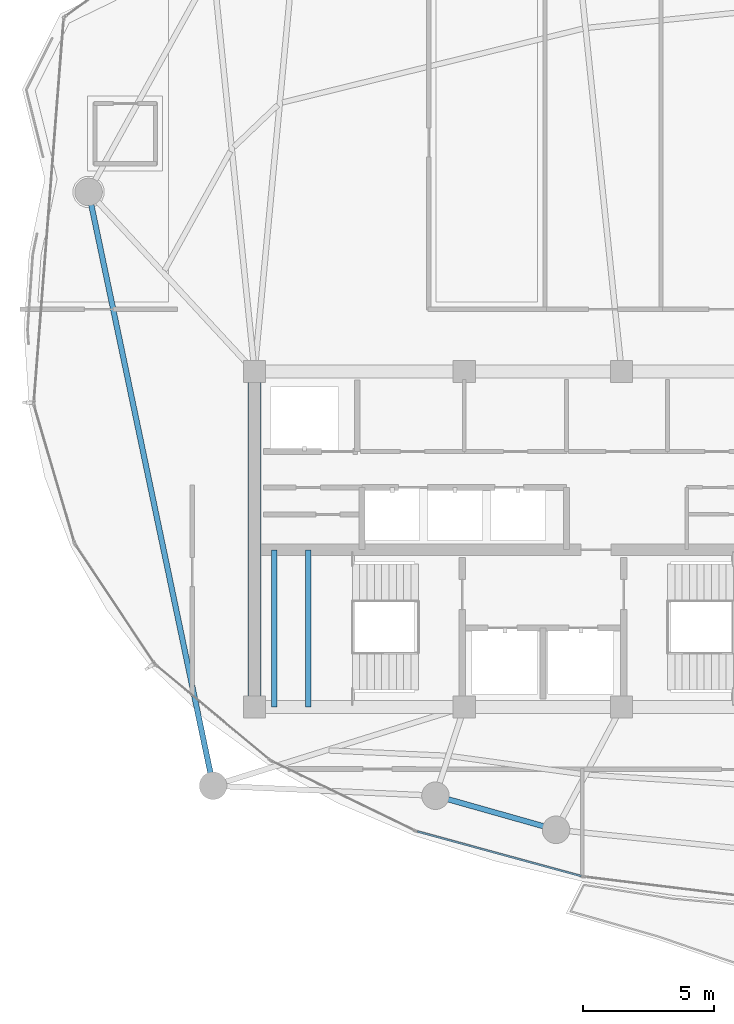
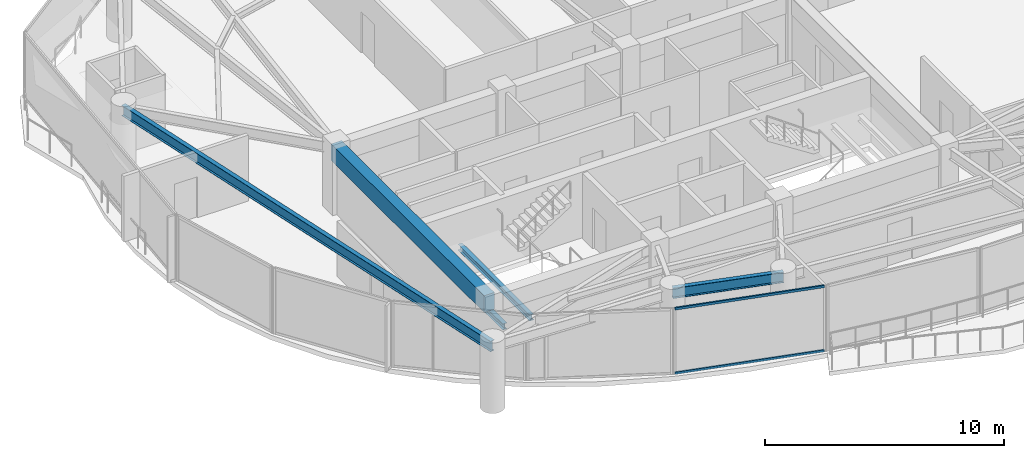
# One storey, part 4 of 30: 5 beams, 2 members, 1 element without a shape of its own.
"""IFC4 building model written with IfcOpenShell, lengths in metres."""

from ifc_helpers import new_model, si_unit, direction, frame, origin, origin_2d, place, context, subcontext, project, spatial, rectangle, hollow_rectangle, i_section, extrude, material, layer, layer_set, material_profile, profile_set, type_object, element, aggregate, save


model = new_model("IFC4")

# Units and contexts
model_context = context("Model", 3, precision=1e-05, world=origin(), true_north=direction((0.0, 1.0)))
body_context = subcontext(model_context, "Body", "Model", "MODEL_VIEW")
ifc_project = project(units=[si_unit("LENGTHUNIT", "METRE"), si_unit("AREAUNIT", "SQUARE_METRE"), si_unit("VOLUMEUNIT", "CUBIC_METRE"), si_unit("PLANEANGLEUNIT", "RADIAN"), si_unit("MASSUNIT", "GRAM", prefix="KILO")], contexts=[model_context])

# Site, building, storey
site_placement = place(None, origin())
site = spatial("IfcSite", under=ifc_project, at=site_placement, CompositionType="ELEMENT")
building_placement = place(site_placement, origin())
building = spatial("IfcBuilding", under=site, at=building_placement, Name="Kazevale Care Tower and Concert Hall", CompositionType="ELEMENT")
storey_placement = place(building_placement, frame((0.0, 0.0, 242.39990234375)))
storey = spatial("IfcBuildingStorey", under=building, at=storey_placement, Name="L64", CompositionType="ELEMENT", Elevation=242.39990234375)

# Curtain wall, members
ifc_material_1 = material(Name="Aluminium 6063-T6 and Low-E Glass", Category="aluminium")
ifc_layer = layer(ifc_material_1, 0.179931640625)
ifc_layer_set = layer_set([ifc_layer], Name="Aluminium 6063-T6 and Low-E Glass")
curtain_wall_type = type_object("IfcCurtainWallType", Name="Sheltered Concave Balcony Curtain Wall CW-5", PredefinedType="NOTDEFINED", material=ifc_layer_set)
curtain_wall_placement = place(storey_placement, origin())
curtain_wall = element("IfcCurtainWall", 1, at=curtain_wall_placement, inside=storey, type_object=curtain_wall_type, Name="cw:L64:f08", PredefinedType="NOTDEFINED")
ifc_material_2 = material(Name="Aluminium 6063-T6", Category="aluminium")
ifc_material_profile_1 = material_profile(ifc_material_2, hollow_rectangle(XDim=0.074951171875, YDim=0.1201171875, WallThickness=0.00390625, at=origin_2d()), Name="ALU75x120x4")
ifc_profile_set_1 = profile_set([ifc_material_profile_1], Name="Aluminium 6063-T6")
member_type = type_object("IfcMemberType", Name="CW-5 Transom ALU75x120x4", PredefinedType="USERDEFINED", material=ifc_profile_set_1)
member_1_placement = place(storey_placement, frame((34.458740234375, 17.15283203125, 0.03759765625), z_axis=(-0.964843890632, 0.262823641842, 0.0), x_axis=(-0.262823641842, -0.964843890632, 0.0)))
member_1 = element("IfcMember", 2, at=member_1_placement, type_object=member_type, Name="CW-5 transom 1.1", ObjectType="TRANSOM", PredefinedType="USERDEFINED", context=body_context, shape_type="SweptSolid", body=[
    extrude(hollow_rectangle(XDim=0.074951171875, YDim=0.1201171875, WallThickness=0.00390625, at=origin_2d()), origin(), (0.0, 0.0, 1.0), 6.469970703125),
])
member_2_placement = place(storey_placement, frame((34.458740234375, 17.15283203125, 3.322509765625), z_axis=(-0.964843890632, 0.262823641842, 0.0), x_axis=(-0.262823641842, -0.964843890632, 0.0)))
member_2 = element("IfcMember", 3, at=member_2_placement, type_object=member_type, Name="CW-5 transom 1.2", ObjectType="TRANSOM", PredefinedType="USERDEFINED", context=body_context, shape_type="SweptSolid", body=[
    extrude(hollow_rectangle(XDim=0.074951171875, YDim=0.1201171875, WallThickness=0.00390625, at=origin_2d()), origin(), (0.0, 0.0, 1.0), 6.469970703125),
])
aggregate(curtain_wall, [member_1, member_2])

# Beams
ifc_material_3 = material(Name="Concrete C60", Category="concrete")
ifc_material_profile_2 = material_profile(ifc_material_3, rectangle(XDim=0.5, YDim=0.85009765625, at=origin_2d()), Name="RC-B500x850")
ifc_profile_set_2 = profile_set([ifc_material_profile_2], Name="Concrete C60")
beam_type_1 = type_object("IfcBeamType", Name="Core Coupling Beam RC500x850", PredefinedType="LINTEL", material=ifc_profile_set_2)
beam_1_placement = place(storey_placement, frame((22.0, 36.39990234375, 2.93505859375), z_axis=(0.0, -1.0, 0.0), x_axis=(1.0, 0.0, 0.0)))
element("IfcBeam", 4, at=beam_1_placement, inside=storey, type_object=beam_type_1, Name="beam:L64:coretie:8", PredefinedType="LINTEL", context=body_context, shape_type="SweptSolid", body=[
    extrude(rectangle(XDim=0.5, YDim=0.85009765625, at=origin_2d()), origin(), (0.0, 0.0, 1.0), 12.7998046875),
])
ifc_material_4 = material(Name="Steel ASTM A572 Gr 50", Category="steel")
ifc_material_profile_3 = material_profile(ifc_material_4, i_section(OverallWidth=0.202880859375, OverallDepth=0.302978515625, WebThickness=0.007568359375, FlangeThickness=0.01318359375, at=origin_2d()), Name="W310x60")
ifc_profile_set_3 = profile_set([ifc_material_profile_3], Name="Steel ASTM A572 Gr 50")
beam_type_2 = type_object("IfcBeamType", Name="Stair & Balcony Trimmer W310x60", PredefinedType="BEAM", material=ifc_profile_set_3)
for number, where, z_axis, x_axis, name in (
    (5, (22.75, 23.60009765625, 1.448486328125), (0.0, 1.0, 0.0), (-1.0, 0.0, 0.0), "beam:L64:sttrim:ST1"),
    (6, (24.050048828125, 23.60009765625, 1.448486328125), (0.0, 1.0, 0.0), (-1.0, 0.0, 0.0), "beam:L64:sttrim:ST1b"),
):
    element("IfcBeam", number, at=place(storey_placement, frame(where, z_axis=z_axis, x_axis=x_axis)), inside=storey, type_object=beam_type_2, Name=name, PredefinedType="BEAM", context=body_context, shape_type="SweptSolid", body=[
        extrude(i_section(OverallWidth=0.202880859375, OverallDepth=0.302978515625, WebThickness=0.007568359375, FlangeThickness=0.01318359375, at=origin_2d()), origin(), (0.0, 0.0, 1.0), 6.0),
    ])
ifc_material_profile_4 = material_profile(ifc_material_4, i_section(OverallWidth=0.208984375, OverallDepth=0.532958984375, WebThickness=0.01025390625, FlangeThickness=0.015625, at=origin_2d()), Name="W530x92")
ifc_profile_set_4 = profile_set([ifc_material_profile_4], Name="Steel ASTM A572 Gr 50")
beam_type_3 = type_object("IfcBeamType", Name="Upper Ring Beam W530x92", PredefinedType="BEAM", material=ifc_profile_set_4)
beam_2_placement = place(storey_placement, frame((15.669921875, 43.25, 3.093505859375), z_axis=(0.205249071222, -0.978709772488, 0.0), x_axis=(0.978709772488, 0.205249071222, 0.0)))
element("IfcBeam", 7, at=beam_2_placement, inside=storey, type_object=beam_type_3, Name="beam:L64:ring:09", PredefinedType="BEAM", context=body_context, shape_type="SweptSolid", body=[
    extrude(i_section(OverallWidth=0.208984375, OverallDepth=0.532958984375, WebThickness=0.01025390625, FlangeThickness=0.015625, at=origin_2d()), origin(), (0.0, 0.0, 1.0), 23.142578125),
])
beam_3_placement = place(storey_placement, frame((28.89990234375, 20.219970703125, 3.093505859375), z_axis=(0.962308240836, -0.271961117846, 0.0), x_axis=(0.271961117846, 0.962308240836, 0.0)))
element("IfcBeam", 8, at=beam_3_placement, inside=storey, type_object=beam_type_3, Name="beam:L64:ring:11", PredefinedType="BEAM", context=body_context, shape_type="SweptSolid", body=[
    extrude(i_section(OverallWidth=0.208984375, OverallDepth=0.532958984375, WebThickness=0.01025390625, FlangeThickness=0.015625, at=origin_2d()), origin(), (0.0, 0.0, 1.0), 4.7802734375),
])

save(model, "model.ifc")
